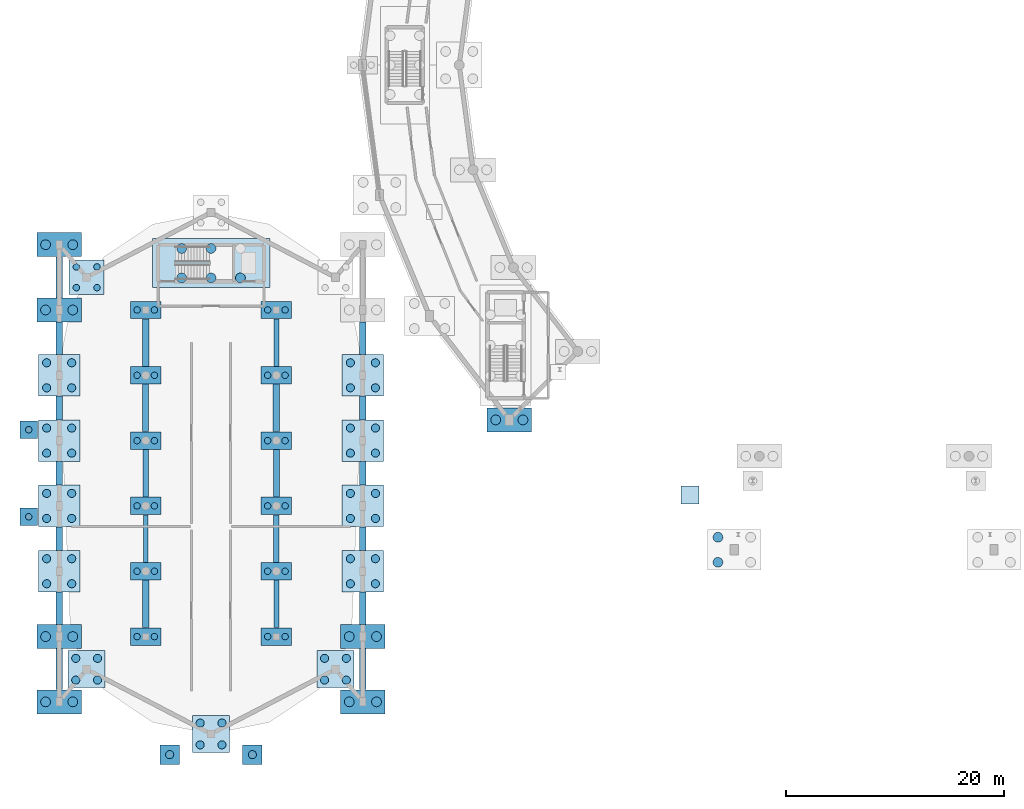
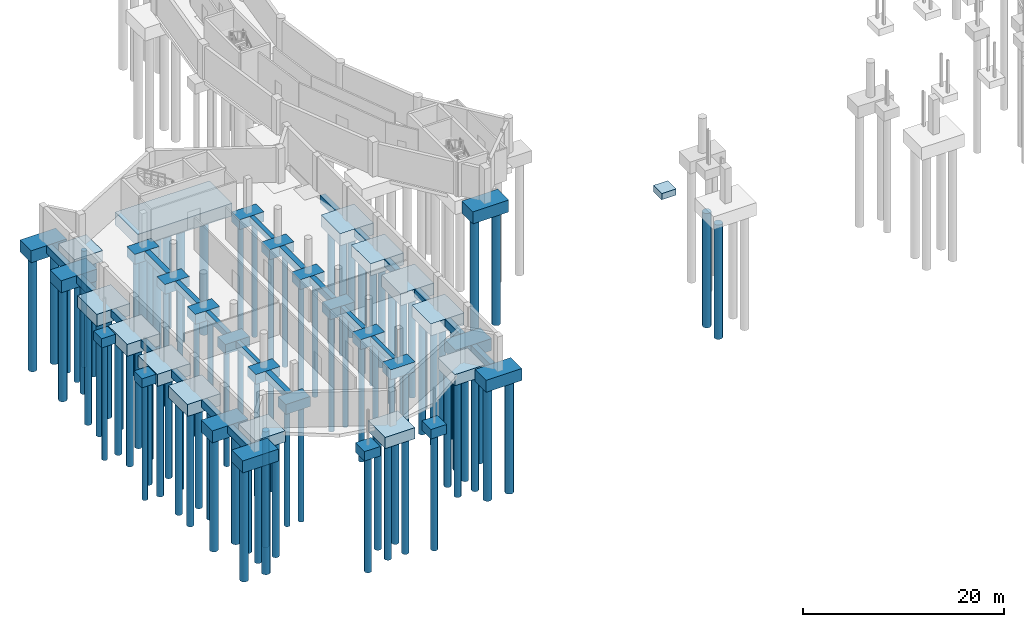
# One storey, part 1 of 43: 97 piles, 60 footings.
"""IFC4 building model written with IfcOpenShell, lengths in metres."""

import ifcopenshell
import ifcopenshell.guid

model = None  # the IFC model being written
_history = None  # IfcOwnerHistory: only IFC2X3 demands one
_inside = {}  # id of a spatial element -> (the spatial element, [elements in it])
_under = {}  # id of a project, library or spatial element -> (it, [spatial elements below it])
_declared = {}  # id of a project -> (the project, [libraries it declares])
_typed = {}  # id of a type object -> (the type object, [elements of that type])
_made_of = {}  # id of a material, layer set ... -> (it, [elements and type objects made of it])


def new_model(schema):
    """Start an empty IFC model of exactly this schema.

    Asked for "IFC4X3", IfcOpenShell would pick the latest addendum, in which some entities
    have other attributes; the version numbers below select the first issue.
    IFC2X3 requires an IfcOwnerHistory on every rooted entity: one is made here for all.
    """
    global model, _history
    if schema == "IFC4X3":
        model = ifcopenshell.file(schema_version=(4, 3, 0, 0))
    else:
        model = ifcopenshell.file(schema=schema)
    _inside.clear()
    _under.clear()
    _declared.clear()
    _typed.clear()
    _made_of.clear()
    _history = None
    if model.schema == "IFC2X3":
        org = make("IfcOrganization", Name="unknown")
        user = make(
            "IfcPersonAndOrganization",
            ThePerson=make("IfcPerson", FamilyName="unknown"),
            TheOrganization=org,
        )
        app = make(
            "IfcApplication",
            ApplicationDeveloper=org,
            Version="unknown",
            ApplicationFullName="unknown",
            ApplicationIdentifier="unknown",
        )
        _history = make(
            "IfcOwnerHistory",
            OwningUser=user,
            OwningApplication=app,
            ChangeAction="ADDED",
            CreationDate=0,
        )
    return model


def make(cls, **values):
    """One entity of the class cls with the attributes given. An attribute that is None is left unset."""
    return model.create_entity(
        cls, **{name: value for name, value in values.items() if value is not None}
    )


def rooted(cls, **values):
    """An entity with a GlobalId (a new one), such as an element, a storey or a relation."""
    return make(cls, GlobalId=ifcopenshell.guid.new(), OwnerHistory=_history, **values)


def si_unit(unit_type, name, prefix=None):
    """IfcSIUnit, for example si_unit("LENGTHUNIT", "METRE", prefix="MILLI")."""
    return make("IfcSIUnit", UnitType=unit_type, Prefix=prefix, Name=name)


def assignment(units):
    """IfcUnitAssignment: the units of a project."""
    return None if units is None else make("IfcUnitAssignment", Units=units)


def point(xyz):
    """IfcCartesianPoint."""
    return None if xyz is None else make("IfcCartesianPoint", Coordinates=xyz)


def direction(xyz):
    """IfcDirection."""
    return None if xyz is None else make("IfcDirection", DirectionRatios=xyz)


def frame(location, z_axis=None, x_axis=None):
    """IfcAxis2Placement3D, a coordinate frame: its origin and axes. An axis left out is left unset."""
    return make(
        "IfcAxis2Placement3D",
        Location=point(location),
        Axis=direction(z_axis),
        RefDirection=direction(x_axis),
    )


def frame_2d(location, x_axis=None):
    """IfcAxis2Placement2D, a coordinate frame in the plane: its origin and x axis."""
    return make(
        "IfcAxis2Placement2D", Location=point(location), RefDirection=direction(x_axis)
    )


def origin():
    """The frame at (0, 0, 0) with its axes left unset."""
    return frame((0.0, 0.0, 0.0))


def origin_2d():
    """The frame at (0, 0) in the plane with its x axis left unset."""
    return frame_2d((0.0, 0.0))


def place(relative_to, where):
    """IfcLocalPlacement: puts the frame where relative to a parent placement (None: the world)."""
    return make(
        "IfcLocalPlacement", PlacementRelTo=relative_to, RelativePlacement=where
    )


def context(
    kind, dimensions, precision=None, world=None, true_north=None, identifier=None
):
    """IfcGeometricRepresentationContext, for example the 3D "Model" context."""
    return make(
        "IfcGeometricRepresentationContext",
        ContextIdentifier=identifier,
        ContextType=kind,
        CoordinateSpaceDimension=dimensions,
        Precision=precision,
        WorldCoordinateSystem=world,
        TrueNorth=true_north,
    )


def subcontext(parent, identifier, kind, view, scale=None):
    """IfcGeometricRepresentationSubContext, for example "Body" below "Model"."""
    return make(
        "IfcGeometricRepresentationSubContext",
        ContextIdentifier=identifier,
        ContextType=kind,
        ParentContext=parent,
        TargetScale=scale,
        TargetView=view,
    )


def project(units=None, contexts=None):
    """IfcProject with its units and contexts."""
    return rooted(
        "IfcProject",
        Name="project",
        RepresentationContexts=contexts,
        UnitsInContext=assignment(units),
    )


def spatial(cls, under=None, at=None, **own):
    """A site, building, storey or space (cls), placed at a placement, below another one or the project."""
    s = rooted(cls, ObjectPlacement=at, **own)
    if under is not None:
        _under.setdefault(under.id(), (under, []))[1].append(s)
    return s


def profile(cls, at=None, kind="AREA", **sizes):
    """A parametric profile (cls). Its sizes go by their IFC names, for example OverallWidth=200.0."""
    return make(cls, ProfileType=kind, Position=at, **sizes)


def rectangle(**sizes):
    """IfcRectangleProfileDef."""
    return profile("IfcRectangleProfileDef", **sizes)


def circle(**sizes):
    """IfcCircleProfileDef."""
    return profile("IfcCircleProfileDef", **sizes)


def extrude(swept, where, along, depth):
    """IfcExtrudedAreaSolid: the profile swept, set in the frame where, extruded along a direction by depth."""
    return make(
        "IfcExtrudedAreaSolid",
        SweptArea=swept,
        Position=where,
        ExtrudedDirection=direction(along),
        Depth=depth,
    )


def shape(context_of_items, identifier, shape_type, items):
    """IfcShapeRepresentation: the items that make up one representation, for example the "Body"."""
    return make(
        "IfcShapeRepresentation",
        ContextOfItems=context_of_items,
        RepresentationIdentifier=identifier,
        RepresentationType=shape_type,
        Items=items,
    )


def material(Name=None, Category=None):
    """IfcMaterial."""
    return make("IfcMaterial", Name=Name, Category=Category)


def material_profile(
    of_material, cross_section, Name=None, Category=None, Priority=None
):
    """IfcMaterialProfile: a cross section and its material."""
    return make(
        "IfcMaterialProfile",
        Name=Name,
        Material=of_material,
        Profile=cross_section,
        Priority=Priority,
        Category=Category,
    )


def profile_set(profiles, Name=None, composite=None):
    """IfcMaterialProfileSet."""
    return make(
        "IfcMaterialProfileSet",
        Name=Name,
        MaterialProfiles=profiles,
        CompositeProfile=composite,
    )


def made_of(thing, what):
    """Note that an element or type object is made of a material, layer set ...; save() writes the relation."""
    if what is not None:
        _made_of.setdefault(what.id(), (what, []))[1].append(thing)
    return thing


def type_object(cls, material=None, **own):
    """A type object (cls), such as IfcWallType, which elements share."""
    return made_of(rooted(cls, **own), material)


def element(
    cls,
    number,
    at=None,
    inside=None,
    cuts=None,
    type_object=None,
    material=None,
    context=None,
    identifier="Body",
    shape_type=None,
    held_by="IfcProductDefinitionShape",
    body=None,
    shapes=None,
    **own,
):
    """One element of the class cls, such as IfcWall. Its Tag is "e" and its number.

    at: its placement. inside: the storey or other place that contains it. cuts: it is an
    opening in that element (IfcRelVoidsElement). A single representation is given by context,
    identifier, shape_type and body (its items); several are given by shapes. held_by: the class
    of the entity that holds the representations. save() writes the other relations.
    """
    e = rooted(cls, Tag="e%d" % number, ObjectPlacement=at, **own)
    if body is not None:
        shapes = [shape(context, identifier, shape_type, body)]
    if shapes is not None:
        e.Representation = make(held_by, Representations=shapes)
    if inside is not None:
        _inside.setdefault(inside.id(), (inside, []))[1].append(e)
    if cuts is not None:
        rooted(
            "IfcRelVoidsElement", RelatingBuildingElement=cuts, RelatedOpeningElement=e
        )
    if type_object is not None:
        _typed.setdefault(type_object.id(), (type_object, []))[1].append(e)
    return made_of(e, material)


def aggregate(whole, parts):
    """IfcRelAggregates: a whole, such as a stair, and the parts it consists of."""
    return rooted("IfcRelAggregates", RelatingObject=whole, RelatedObjects=parts)


def save(model, path):
    """Write the relations noted so far, then the file.

    IfcRelAggregates (storeys below a building ...), IfcRelContainedInSpatialStructure (elements
    in a storey), IfcRelDefinesByType, IfcRelAssociatesMaterial and IfcRelDeclares: one each for
    every whole, place, type object, material and project.
    """
    for whole, parts in _under.values():
        aggregate(whole, parts)
    for where, things in _inside.values():
        rooted(
            "IfcRelContainedInSpatialStructure",
            RelatedElements=things,
            RelatingStructure=where,
        )
    for kind, things in _typed.values():
        rooted("IfcRelDefinesByType", RelatedObjects=things, RelatingType=kind)
    for what, things in _made_of.values():
        rooted("IfcRelAssociatesMaterial", RelatedObjects=things, RelatingMaterial=what)
    for by, libraries in _declared.values():
        rooted("IfcRelDeclares", RelatingContext=by, RelatedDefinitions=libraries)
    model.write(path)


model = new_model("IFC4")

# Units and contexts
model_context = context("Model", 3, precision=1e-05, world=origin(), true_north=direction((0.0, 1.0)))
body_context = subcontext(model_context, "Body", "Model", "MODEL_VIEW")
ifc_project = project(units=[si_unit("LENGTHUNIT", "METRE"), si_unit("AREAUNIT", "SQUARE_METRE"), si_unit("VOLUMEUNIT", "CUBIC_METRE"), si_unit("PLANEANGLEUNIT", "RADIAN"), si_unit("MASSUNIT", "GRAM", prefix="KILO")], contexts=[model_context])

# Site, building, storey
site_placement = place(None, origin())
site = spatial("IfcSite", under=ifc_project, at=site_placement, CompositionType="ELEMENT")
building_placement = place(site_placement, origin())
building = spatial("IfcBuilding", under=site, at=building_placement, Name="Vespera Passage Community Centre", CompositionType="ELEMENT")
storey_placement = place(building_placement, frame((0.0, 0.0, -4.199951171875)))
storey = spatial("IfcBuildingStorey", under=building, at=storey_placement, Name="B1", CompositionType="ELEMENT", Elevation=-4.199951171875)

# Footings
ifc_material_1 = material(Name="Concrete f'c 35 MPa", Category="concrete")
footing_type_1 = type_object("IfcFootingType", Name="FB-01", PredefinedType="FOOTING_BEAM", material=ifc_material_1)
for number, where, z_axis, x_axis, name in (
    (1, (12.0, 28.0, -0.80029296875), (0.0, 0.0, 1.0), (0.0, 1.0, 0.0), "Void-Formed Grade Beam 5"),
    (2, (24.0, 22.0, -0.80029296875), (0.0, 0.0, 1.0), (0.0, 1.0, 0.0), "Void-Formed Grade Beam 9"),
):
    element("IfcFooting", number, at=place(storey_placement, frame(where, z_axis=z_axis, x_axis=x_axis)), inside=storey, type_object=footing_type_1, Name=name, PredefinedType="FOOTING_BEAM", context=body_context, shape_type="SweptSolid", body=[
        extrude(rectangle(XDim=4.3701171875, YDim=0.5, at=origin_2d()), origin(), (0.0, 0.0, 1.0), 0.800048828125),
    ])
ifc_material_2 = material(Name="Concrete f'c 35 MPa", Category="concrete")
footing_type_2 = type_object("IfcFootingType", Name="FB-02", PredefinedType="FOOTING_BEAM", material=ifc_material_2)
for number, where, z_axis, x_axis, name in (
    (3, (12.0, 34.0, -0.85009765625), (0.0, 0.0, 1.0), (0.0, 1.0, 0.0), "Void-Formed Grade Beam 6"),
    (4, (24.0, 28.0, -0.85009765625), (0.0, 0.0, 1.0), (0.0, 1.0, 0.0), "Void-Formed Grade Beam 10"),
):
    element("IfcFooting", number, at=place(storey_placement, frame(where, z_axis=z_axis, x_axis=x_axis)), inside=storey, type_object=footing_type_2, Name=name, PredefinedType="FOOTING_BEAM", context=body_context, shape_type="SweptSolid", body=[
        extrude(rectangle(XDim=4.3701171875, YDim=0.550048828125, at=origin_2d()), origin(), (0.0, 0.0, 1.0), 0.85009765625),
    ])
ifc_material_3 = material(Name="Concrete f'c 35 MPa", Category="concrete")
footing_type_3 = type_object("IfcFootingType", Name="FB-03", PredefinedType="FOOTING_BEAM", material=ifc_material_3)
footing_1_placement = place(storey_placement, frame((4.050048828125, 10.0, -0.89990234375), z_axis=(0.0, 0.0, 1.0), x_axis=(0.0, 1.0, 0.0)))
element("IfcFooting", 5, at=footing_1_placement, inside=storey, type_object=footing_type_3, Name="V1 W Wall Strip Footing 1", PredefinedType="FOOTING_BEAM", context=body_context, shape_type="SweptSolid", body=[
    extrude(rectangle(XDim=3.77001953125, YDim=0.60009765625, at=origin_2d()), origin(), (0.0, 0.0, 1.0), 0.89990234375),
])
footing_2_placement = place(storey_placement, frame((4.050048828125, 15.60009765625, -0.89990234375), z_axis=(0.0, 0.0, 1.0), x_axis=(0.0, 1.0, 0.0)))
element("IfcFooting", 6, at=footing_2_placement, inside=storey, type_object=footing_type_3, Name="V1 W Wall Strip Footing 2", PredefinedType="FOOTING_BEAM", context=body_context, shape_type="SweptSolid", body=[
    extrude(rectangle(XDim=2.969970703125, YDim=0.60009765625, at=origin_2d()), origin(), (0.0, 0.0, 1.0), 0.89990234375),
])
for number, where, z_axis, x_axis, name in (
    (7, (4.050048828125, 22.0, -0.89990234375), (0.0, 0.0, 1.0), (0.0, 1.0, 0.0), "V1 W Wall Strip Footing 3"),
    (8, (4.050048828125, 28.0, -0.89990234375), (0.0, 0.0, 1.0), (0.0, 1.0, 0.0), "V1 W Wall Strip Footing 4"),
    (9, (4.050048828125, 34.0, -0.89990234375), (0.0, 0.0, 1.0), (0.0, 1.0, 0.0), "V1 W Wall Strip Footing 5"),
):
    element("IfcFooting", number, at=place(storey_placement, frame(where, z_axis=z_axis, x_axis=x_axis)), inside=storey, type_object=footing_type_3, Name=name, PredefinedType="FOOTING_BEAM", context=body_context, shape_type="SweptSolid", body=[
        extrude(rectangle(XDim=2.169921875, YDim=0.60009765625, at=origin_2d()), origin(), (0.0, 0.0, 1.0), 0.89990234375),
    ])
footing_3_placement = place(storey_placement, frame((4.050048828125, 40.39990234375, -0.89990234375), z_axis=(0.0, 0.0, 1.0), x_axis=(0.0, 1.0, 0.0)))
element("IfcFooting", 10, at=footing_3_placement, inside=storey, type_object=footing_type_3, Name="V1 W Wall Strip Footing 6", PredefinedType="FOOTING_BEAM", context=body_context, shape_type="SweptSolid", body=[
    extrude(rectangle(XDim=2.969970703125, YDim=0.60009765625, at=origin_2d()), origin(), (0.0, 0.0, 1.0), 0.89990234375),
])
for number, where, z_axis, x_axis, name in (
    (11, (4.050048828125, 46.0, -0.89990234375), (0.0, 0.0, 1.0), (0.0, 1.0, 0.0), "V1 W Wall Strip Footing 7"),
    (12, (31.949951171875, 10.0, -0.89990234375), (0.0, 0.0, 1.0), (0.0, 1.0, 0.0), "V1 E Wall Strip Footing 1"),
):
    element("IfcFooting", number, at=place(storey_placement, frame(where, z_axis=z_axis, x_axis=x_axis)), inside=storey, type_object=footing_type_3, Name=name, PredefinedType="FOOTING_BEAM", context=body_context, shape_type="SweptSolid", body=[
        extrude(rectangle(XDim=3.77001953125, YDim=0.60009765625, at=origin_2d()), origin(), (0.0, 0.0, 1.0), 0.89990234375),
    ])
footing_4_placement = place(storey_placement, frame((31.949951171875, 15.60009765625, -0.89990234375), z_axis=(0.0, 0.0, 1.0), x_axis=(0.0, 1.0, 0.0)))
element("IfcFooting", 13, at=footing_4_placement, inside=storey, type_object=footing_type_3, Name="V1 E Wall Strip Footing 2", PredefinedType="FOOTING_BEAM", context=body_context, shape_type="SweptSolid", body=[
    extrude(rectangle(XDim=2.969970703125, YDim=0.60009765625, at=origin_2d()), origin(), (0.0, 0.0, 1.0), 0.89990234375),
])
for number, where, z_axis, x_axis, name in (
    (14, (31.949951171875, 22.0, -0.89990234375), (0.0, 0.0, 1.0), (0.0, 1.0, 0.0), "V1 E Wall Strip Footing 3"),
    (15, (31.949951171875, 28.0, -0.89990234375), (0.0, 0.0, 1.0), (0.0, 1.0, 0.0), "V1 E Wall Strip Footing 4"),
    (16, (31.949951171875, 34.0, -0.89990234375), (0.0, 0.0, 1.0), (0.0, 1.0, 0.0), "V1 E Wall Strip Footing 5"),
):
    element("IfcFooting", number, at=place(storey_placement, frame(where, z_axis=z_axis, x_axis=x_axis)), inside=storey, type_object=footing_type_3, Name=name, PredefinedType="FOOTING_BEAM", context=body_context, shape_type="SweptSolid", body=[
        extrude(rectangle(XDim=2.169921875, YDim=0.60009765625, at=origin_2d()), origin(), (0.0, 0.0, 1.0), 0.89990234375),
    ])
footing_5_placement = place(storey_placement, frame((31.949951171875, 40.39990234375, -0.89990234375), z_axis=(0.0, 0.0, 1.0), x_axis=(0.0, 1.0, 0.0)))
element("IfcFooting", 17, at=footing_5_placement, inside=storey, type_object=footing_type_3, Name="V1 E Wall Strip Footing 6", PredefinedType="FOOTING_BEAM", context=body_context, shape_type="SweptSolid", body=[
    extrude(rectangle(XDim=2.969970703125, YDim=0.60009765625, at=origin_2d()), origin(), (0.0, 0.0, 1.0), 0.89990234375),
])
for number, where, z_axis, x_axis, name in (
    (18, (12.0, 16.0, -0.89990234375), (0.0, 0.0, 1.0), (0.0, 1.0, 0.0), "Void-Formed Grade Beam 3"),
    (19, (12.0, 40.0, -0.89990234375), (0.0, 0.0, 1.0), (0.0, 1.0, 0.0), "Void-Formed Grade Beam 7"),
    (20, (24.0, 34.0, -0.89990234375), (0.0, 0.0, 1.0), (0.0, 1.0, 0.0), "Void-Formed Grade Beam 11"),
):
    element("IfcFooting", number, at=place(storey_placement, frame(where, z_axis=z_axis, x_axis=x_axis)), inside=storey, type_object=footing_type_3, Name=name, PredefinedType="FOOTING_BEAM", context=body_context, shape_type="SweptSolid", body=[
        extrude(rectangle(XDim=4.3701171875, YDim=0.60009765625, at=origin_2d()), origin(), (0.0, 0.0, 1.0), 0.89990234375),
    ])
ifc_material_4 = material(Name="Concrete f'c 35 MPa", Category="concrete")
footing_type_4 = type_object("IfcFootingType", Name="FB-04", PredefinedType="FOOTING_BEAM", material=ifc_material_4)
for number, where, z_axis, x_axis, name in (
    (21, (12.0, 22.0, -0.75), (0.0, 0.0, 1.0), (0.0, 1.0, 0.0), "Void-Formed Grade Beam 4"),
    (22, (24.0, 16.0, -0.75), (0.0, 0.0, 1.0), (0.0, 1.0, 0.0), "Void-Formed Grade Beam 8"),
    (23, (24.0, 40.0, -0.75), (0.0, 0.0, 1.0), (0.0, 1.0, 0.0), "Void-Formed Grade Beam 12"),
):
    element("IfcFooting", number, at=place(storey_placement, frame(where, z_axis=z_axis, x_axis=x_axis)), inside=storey, type_object=footing_type_4, Name=name, PredefinedType="FOOTING_BEAM", context=body_context, shape_type="SweptSolid", body=[
        extrude(rectangle(XDim=4.3701171875, YDim=0.449951171875, at=origin_2d()), origin(), (0.0, 0.0, 1.0), 0.75),
    ])

# Piles
ifc_material_5 = material(Name="Concrete f'c 45 MPa", Category="concrete")
ifc_material_profile_1 = material_profile(ifc_material_5, circle(Radius=0.300048828125, at=origin_2d()), Name="PILE600DIA")
ifc_profile_set_1 = profile_set([ifc_material_profile_1], Name="Concrete f'c 45 MPa")
pile_type_1 = type_object("IfcPileType", Name="P-600", PredefinedType="BORED", material=ifc_profile_set_1)
for number, where, z_axis, x_axis, name in (
    (24, (5.622802734375, 45.051513671875, -1.199951171875), (0.0, 0.0, -1.0), (1.0, 0.0, 0.0), "Column V1-AN3 Bored Pile 1"),
    (25, (7.522705078125, 45.051513671875, -1.199951171875), (0.0, 0.0, -1.0), (1.0, 0.0, 0.0), "Column V1-AN3 Bored Pile 2"),
    (26, (5.622802734375, 46.951416015625, -1.199951171875), (0.0, 0.0, -1.0), (1.0, 0.0, 0.0), "Column V1-AN3 Bored Pile 3"),
    (27, (7.522705078125, 46.951416015625, -1.199951171875), (0.0, 0.0, -1.0), (1.0, 0.0, 0.0), "Column V1-AN3 Bored Pile 4"),
):
    element("IfcPile", number, at=place(storey_placement, frame(where, z_axis=z_axis, x_axis=x_axis)), inside=storey, type_object=pile_type_1, Name=name, PredefinedType="BORED", context=body_context, shape_type="SweptSolid", body=[
        extrude(circle(Radius=0.300048828125, at=origin_2d()), origin(), (0.0, 0.0, 1.0), 14.10009765625),
    ])
for number, where, z_axis, x_axis, name in (
    (28, (11.199951171875, 13.0, -1.10009765625), (0.0, 0.0, -1.0), (1.0, 0.0, 0.0), "Column V1-B1-11 Bored Pile 1"),
    (29, (12.800048828125, 13.0, -1.10009765625), (0.0, 0.0, -1.0), (1.0, 0.0, 0.0), "Column V1-B1-11 Bored Pile 2"),
    (30, (11.199951171875, 19.0, -1.10009765625), (0.0, 0.0, -1.0), (1.0, 0.0, 0.0), "Column V1-B1-12 Bored Pile 1"),
    (31, (12.800048828125, 19.0, -1.10009765625), (0.0, 0.0, -1.0), (1.0, 0.0, 0.0), "Column V1-B1-12 Bored Pile 2"),
    (32, (11.199951171875, 25.0, -1.10009765625), (0.0, 0.0, -1.0), (1.0, 0.0, 0.0), "Column V1-B1-13 Bored Pile 1"),
    (33, (12.800048828125, 25.0, -1.10009765625), (0.0, 0.0, -1.0), (1.0, 0.0, 0.0), "Column V1-B1-13 Bored Pile 2"),
    (34, (11.199951171875, 31.0, -1.10009765625), (0.0, 0.0, -1.0), (1.0, 0.0, 0.0), "Column V1-B1-14 Bored Pile 1"),
    (35, (12.800048828125, 31.0, -1.10009765625), (0.0, 0.0, -1.0), (1.0, 0.0, 0.0), "Column V1-B1-14 Bored Pile 2"),
    (36, (11.199951171875, 37.0, -1.10009765625), (0.0, 0.0, -1.0), (1.0, 0.0, 0.0), "Column V1-B1-15 Bored Pile 1"),
    (37, (12.800048828125, 37.0, -1.10009765625), (0.0, 0.0, -1.0), (1.0, 0.0, 0.0), "Column V1-B1-15 Bored Pile 2"),
    (38, (11.199951171875, 43.0, -1.10009765625), (0.0, 0.0, -1.0), (1.0, 0.0, 0.0), "Column V1-B1-16 Bored Pile 1"),
    (39, (12.800048828125, 43.0, -1.10009765625), (0.0, 0.0, -1.0), (1.0, 0.0, 0.0), "Column V1-B1-16 Bored Pile 2"),
    (40, (23.199951171875, 13.0, -1.10009765625), (0.0, 0.0, -1.0), (1.0, 0.0, 0.0), "Column V1-B1-21 Bored Pile 1"),
    (41, (24.800048828125, 13.0, -1.10009765625), (0.0, 0.0, -1.0), (1.0, 0.0, 0.0), "Column V1-B1-21 Bored Pile 2"),
    (42, (23.199951171875, 19.0, -1.10009765625), (0.0, 0.0, -1.0), (1.0, 0.0, 0.0), "Column V1-B1-22 Bored Pile 1"),
    (43, (24.800048828125, 19.0, -1.10009765625), (0.0, 0.0, -1.0), (1.0, 0.0, 0.0), "Column V1-B1-22 Bored Pile 2"),
    (44, (23.199951171875, 25.0, -1.10009765625), (0.0, 0.0, -1.0), (1.0, 0.0, 0.0), "Column V1-B1-23 Bored Pile 1"),
    (45, (24.800048828125, 25.0, -1.10009765625), (0.0, 0.0, -1.0), (1.0, 0.0, 0.0), "Column V1-B1-23 Bored Pile 2"),
    (46, (23.199951171875, 31.0, -1.10009765625), (0.0, 0.0, -1.0), (1.0, 0.0, 0.0), "Column V1-B1-24 Bored Pile 1"),
    (47, (24.800048828125, 31.0, -1.10009765625), (0.0, 0.0, -1.0), (1.0, 0.0, 0.0), "Column V1-B1-24 Bored Pile 2"),
    (48, (23.199951171875, 37.0, -1.10009765625), (0.0, 0.0, -1.0), (1.0, 0.0, 0.0), "Column V1-B1-25 Bored Pile 1"),
    (49, (24.800048828125, 37.0, -1.10009765625), (0.0, 0.0, -1.0), (1.0, 0.0, 0.0), "Column V1-B1-25 Bored Pile 2"),
    (50, (23.199951171875, 43.0, -1.10009765625), (0.0, 0.0, -1.0), (1.0, 0.0, 0.0), "Column V1-B1-26 Bored Pile 1"),
    (51, (24.800048828125, 43.0, -1.10009765625), (0.0, 0.0, -1.0), (1.0, 0.0, 0.0), "Column V1-B1-26 Bored Pile 2"),
):
    element("IfcPile", number, at=place(storey_placement, frame(where, z_axis=z_axis, x_axis=x_axis)), inside=storey, type_object=pile_type_1, Name=name, PredefinedType="BORED", context=body_context, shape_type="SweptSolid", body=[
        extrude(circle(Radius=0.300048828125, at=origin_2d()), origin(), (0.0, 0.0, 1.0), 14.199951171875),
    ])
for number, where, z_axis, x_axis, name in (
    (52, (1.25, 24.0, -1.0), (0.0, 0.0, -1.0), (1.0, 0.0, 0.0), "Column EC1-C01 Bored Pile 1"),
    (53, (1.25, 32.0, -1.0), (0.0, 0.0, -1.0), (1.0, 0.0, 0.0), "Column EC1-C02 Bored Pile 1"),
):
    element("IfcPile", number, at=place(storey_placement, frame(where, z_axis=z_axis, x_axis=x_axis)), inside=storey, type_object=pile_type_1, Name=name, PredefinedType="BORED", context=body_context, shape_type="SweptSolid", body=[
        extrude(circle(Radius=0.300048828125, at=origin_2d()), origin(), (0.0, 0.0, 1.0), 14.300048828125),
    ])
ifc_material_6 = material(Name="Concrete f'c 45 MPa", Category="concrete")
ifc_material_profile_2 = material_profile(ifc_material_6, circle(Radius=0.375, at=origin_2d()), Name="PILE750DIA")
ifc_profile_set_2 = profile_set([ifc_material_profile_2], Name="Concrete f'c 45 MPa")
pile_type_2 = type_object("IfcPileType", Name="P-750", PredefinedType="BORED", material=ifc_profile_set_2)
for number, where, z_axis, x_axis, name in (
    (54, (5.57275390625, 8.99853515625, -1.25), (0.0, 0.0, -1.0), (1.0, 0.0, 0.0), "Column V1-AS1 Bored Pile 1"),
    (55, (7.57275390625, 8.99853515625, -1.25), (0.0, 0.0, -1.0), (1.0, 0.0, 0.0), "Column V1-AS1 Bored Pile 2"),
    (56, (5.57275390625, 10.99853515625, -1.25), (0.0, 0.0, -1.0), (1.0, 0.0, 0.0), "Column V1-AS1 Bored Pile 3"),
    (57, (7.57275390625, 10.99853515625, -1.25), (0.0, 0.0, -1.0), (1.0, 0.0, 0.0), "Column V1-AS1 Bored Pile 4"),
    (58, (17.0, 3.050048828125, -1.25), (0.0, 0.0, -1.0), (1.0, 0.0, 0.0), "Column V1-AS2 Bored Pile 1"),
    (59, (19.0, 3.050048828125, -1.25), (0.0, 0.0, -1.0), (1.0, 0.0, 0.0), "Column V1-AS2 Bored Pile 2"),
    (60, (17.0, 5.050048828125, -1.25), (0.0, 0.0, -1.0), (1.0, 0.0, 0.0), "Column V1-AS2 Bored Pile 3"),
    (61, (19.0, 5.050048828125, -1.25), (0.0, 0.0, -1.0), (1.0, 0.0, 0.0), "Column V1-AS2 Bored Pile 4"),
    (62, (28.42724609375, 8.99853515625, -1.25), (0.0, 0.0, -1.0), (1.0, 0.0, 0.0), "Column V1-AS3 Bored Pile 1"),
    (63, (30.42724609375, 8.99853515625, -1.25), (0.0, 0.0, -1.0), (1.0, 0.0, 0.0), "Column V1-AS3 Bored Pile 2"),
    (64, (28.42724609375, 10.99853515625, -1.25), (0.0, 0.0, -1.0), (1.0, 0.0, 0.0), "Column V1-AS3 Bored Pile 3"),
    (65, (30.42724609375, 10.99853515625, -1.25), (0.0, 0.0, -1.0), (1.0, 0.0, 0.0), "Column V1-AS3 Bored Pile 4"),
):
    element("IfcPile", number, at=place(storey_placement, frame(where, z_axis=z_axis, x_axis=x_axis)), inside=storey, type_object=pile_type_2, Name=name, PredefinedType="BORED", context=body_context, shape_type="SweptSolid", body=[
        extrude(circle(Radius=0.375, at=origin_2d()), origin(), (0.0, 0.0, 1.0), 14.050048828125),
    ])
for number, where, z_axis, x_axis, name in (
    (66, (30.800048828125, 17.85009765625, -1.35009765625), (0.0, 0.0, -1.0), (1.0, 0.0, 0.0), "Column V1-E3 Bored Pile 1"),
    (67, (33.10009765625, 17.85009765625, -1.35009765625), (0.0, 0.0, -1.0), (1.0, 0.0, 0.0), "Column V1-E3 Bored Pile 2"),
    (68, (30.800048828125, 20.14990234375, -1.35009765625), (0.0, 0.0, -1.0), (1.0, 0.0, 0.0), "Column V1-E3 Bored Pile 3"),
    (69, (33.10009765625, 20.14990234375, -1.35009765625), (0.0, 0.0, -1.0), (1.0, 0.0, 0.0), "Column V1-E3 Bored Pile 4"),
    (70, (30.800048828125, 23.85009765625, -1.35009765625), (0.0, 0.0, -1.0), (1.0, 0.0, 0.0), "Column V1-E4 Bored Pile 1"),
    (71, (33.10009765625, 23.85009765625, -1.35009765625), (0.0, 0.0, -1.0), (1.0, 0.0, 0.0), "Column V1-E4 Bored Pile 2"),
    (72, (30.800048828125, 26.14990234375, -1.35009765625), (0.0, 0.0, -1.0), (1.0, 0.0, 0.0), "Column V1-E4 Bored Pile 3"),
    (73, (33.10009765625, 26.14990234375, -1.35009765625), (0.0, 0.0, -1.0), (1.0, 0.0, 0.0), "Column V1-E4 Bored Pile 4"),
    (74, (30.800048828125, 29.85009765625, -1.35009765625), (0.0, 0.0, -1.0), (1.0, 0.0, 0.0), "Column V1-E5 Bored Pile 1"),
    (75, (33.10009765625, 29.85009765625, -1.35009765625), (0.0, 0.0, -1.0), (1.0, 0.0, 0.0), "Column V1-E5 Bored Pile 2"),
    (76, (30.800048828125, 32.14990234375, -1.35009765625), (0.0, 0.0, -1.0), (1.0, 0.0, 0.0), "Column V1-E5 Bored Pile 3"),
    (77, (33.10009765625, 32.14990234375, -1.35009765625), (0.0, 0.0, -1.0), (1.0, 0.0, 0.0), "Column V1-E5 Bored Pile 4"),
    (78, (30.800048828125, 35.85009765625, -1.35009765625), (0.0, 0.0, -1.0), (1.0, 0.0, 0.0), "Column V1-E6 Bored Pile 1"),
    (79, (33.10009765625, 35.85009765625, -1.35009765625), (0.0, 0.0, -1.0), (1.0, 0.0, 0.0), "Column V1-E6 Bored Pile 2"),
    (80, (30.800048828125, 38.14990234375, -1.35009765625), (0.0, 0.0, -1.0), (1.0, 0.0, 0.0), "Column V1-E6 Bored Pile 3"),
    (81, (33.10009765625, 38.14990234375, -1.35009765625), (0.0, 0.0, -1.0), (1.0, 0.0, 0.0), "Column V1-E6 Bored Pile 4"),
    (82, (2.89990234375, 17.85009765625, -1.35009765625), (0.0, 0.0, -1.0), (1.0, 0.0, 0.0), "Column V1-W3 Bored Pile 1"),
    (83, (5.199951171875, 17.85009765625, -1.35009765625), (0.0, 0.0, -1.0), (1.0, 0.0, 0.0), "Column V1-W3 Bored Pile 2"),
    (84, (2.89990234375, 20.14990234375, -1.35009765625), (0.0, 0.0, -1.0), (1.0, 0.0, 0.0), "Column V1-W3 Bored Pile 3"),
    (85, (5.199951171875, 20.14990234375, -1.35009765625), (0.0, 0.0, -1.0), (1.0, 0.0, 0.0), "Column V1-W3 Bored Pile 4"),
    (86, (2.89990234375, 23.85009765625, -1.35009765625), (0.0, 0.0, -1.0), (1.0, 0.0, 0.0), "Column V1-W4 Bored Pile 1"),
    (87, (5.199951171875, 23.85009765625, -1.35009765625), (0.0, 0.0, -1.0), (1.0, 0.0, 0.0), "Column V1-W4 Bored Pile 2"),
    (88, (2.89990234375, 26.14990234375, -1.35009765625), (0.0, 0.0, -1.0), (1.0, 0.0, 0.0), "Column V1-W4 Bored Pile 3"),
    (89, (5.199951171875, 26.14990234375, -1.35009765625), (0.0, 0.0, -1.0), (1.0, 0.0, 0.0), "Column V1-W4 Bored Pile 4"),
    (90, (2.89990234375, 29.85009765625, -1.35009765625), (0.0, 0.0, -1.0), (1.0, 0.0, 0.0), "Column V1-W5 Bored Pile 1"),
    (91, (5.199951171875, 29.85009765625, -1.35009765625), (0.0, 0.0, -1.0), (1.0, 0.0, 0.0), "Column V1-W5 Bored Pile 2"),
    (92, (2.89990234375, 32.14990234375, -1.35009765625), (0.0, 0.0, -1.0), (1.0, 0.0, 0.0), "Column V1-W5 Bored Pile 3"),
    (93, (5.199951171875, 32.14990234375, -1.35009765625), (0.0, 0.0, -1.0), (1.0, 0.0, 0.0), "Column V1-W5 Bored Pile 4"),
    (94, (2.89990234375, 35.85009765625, -1.35009765625), (0.0, 0.0, -1.0), (1.0, 0.0, 0.0), "Column V1-W6 Bored Pile 1"),
    (95, (5.199951171875, 35.85009765625, -1.35009765625), (0.0, 0.0, -1.0), (1.0, 0.0, 0.0), "Column V1-W6 Bored Pile 2"),
    (96, (2.89990234375, 38.14990234375, -1.35009765625), (0.0, 0.0, -1.0), (1.0, 0.0, 0.0), "Column V1-W6 Bored Pile 3"),
    (97, (5.199951171875, 38.14990234375, -1.35009765625), (0.0, 0.0, -1.0), (1.0, 0.0, 0.0), "Column V1-W6 Bored Pile 4"),
):
    element("IfcPile", number, at=place(storey_placement, frame(where, z_axis=z_axis, x_axis=x_axis)), inside=storey, type_object=pile_type_2, Name=name, PredefinedType="BORED", context=body_context, shape_type="SweptSolid", body=[
        extrude(circle(Radius=0.375, at=origin_2d()), origin(), (0.0, 0.0, 1.0), 13.949951171875),
    ])
for number, where, z_axis, x_axis, name in (
    (98, (14.199951171875, 2.14990234375, -1.050048828125), (0.0, 0.0, -1.0), (1.0, 0.0, 0.0), "Column EC2-C01 Bored Pile 1"),
    (99, (21.800048828125, 2.14990234375, -1.050048828125), (0.0, 0.0, -1.0), (1.0, 0.0, 0.0), "Column EC2-C02 Bored Pile 1"),
):
    element("IfcPile", number, at=place(storey_placement, frame(where, z_axis=z_axis, x_axis=x_axis)), inside=storey, type_object=pile_type_2, Name=name, PredefinedType="BORED", context=body_context, shape_type="SweptSolid", body=[
        extrude(circle(Radius=0.375, at=origin_2d()), origin(), (0.0, 0.0, 1.0), 14.25),
    ])
ifc_material_7 = material(Name="Concrete f'c 45 MPa", Category="concrete")
ifc_material_profile_3 = material_profile(ifc_material_7, circle(Radius=0.449951171875, at=origin_2d()), Name="PILE900DIA")
ifc_profile_set_3 = profile_set([ifc_material_profile_3], Name="Concrete f'c 45 MPa")
pile_type_3 = type_object("IfcPileType", Name="P-900", PredefinedType="BORED", material=ifc_profile_set_3)
for number, where, z_axis, x_axis, name in (
    (100, (15.300048828125, 45.949951171875, -1.449951171875), (0.0, 0.0, -1.0), (1.0, 0.0, 0.0), "Core C5 Bored Pile 1"),
    (101, (18.0, 45.949951171875, -1.449951171875), (0.0, 0.0, -1.0), (1.0, 0.0, 0.0), "Core C5 Bored Pile 2"),
    (102, (20.699951171875, 45.949951171875, -1.449951171875), (0.0, 0.0, -1.0), (1.0, 0.0, 0.0), "Core C5 Bored Pile 3"),
    (103, (15.300048828125, 48.64990234375, -1.449951171875), (0.0, 0.0, -1.0), (1.0, 0.0, 0.0), "Core C5 Bored Pile 4"),
    (104, (18.0, 48.64990234375, -1.449951171875), (0.0, 0.0, -1.0), (1.0, 0.0, 0.0), "Core C5 Bored Pile 5"),
):
    element("IfcPile", number, at=place(storey_placement, frame(where, z_axis=z_axis, x_axis=x_axis)), inside=storey, type_object=pile_type_3, Name=name, PredefinedType="BORED", context=body_context, shape_type="SweptSolid", body=[
        extrude(circle(Radius=0.449951171875, at=origin_2d()), origin(), (0.0, 0.0, 1.0), 13.85009765625),
    ])
for number, where, z_axis, x_axis, name in (
    (105, (30.699951171875, 7.0, -1.35009765625), (0.0, 0.0, -1.0), (1.0, 0.0, 0.0), "Column V1-E1 Bored Pile 1"),
    (106, (33.199951171875, 7.0, -1.35009765625), (0.0, 0.0, -1.0), (1.0, 0.0, 0.0), "Column V1-E1 Bored Pile 2"),
    (107, (30.699951171875, 13.0, -1.35009765625), (0.0, 0.0, -1.0), (1.0, 0.0, 0.0), "Column V1-E2 Bored Pile 1"),
    (108, (33.199951171875, 13.0, -1.35009765625), (0.0, 0.0, -1.0), (1.0, 0.0, 0.0), "Column V1-E2 Bored Pile 2"),
    (109, (2.800048828125, 7.0, -1.35009765625), (0.0, 0.0, -1.0), (1.0, 0.0, 0.0), "Column V1-W1 Bored Pile 1"),
    (110, (5.300048828125, 7.0, -1.35009765625), (0.0, 0.0, -1.0), (1.0, 0.0, 0.0), "Column V1-W1 Bored Pile 2"),
    (111, (2.800048828125, 13.0, -1.35009765625), (0.0, 0.0, -1.0), (1.0, 0.0, 0.0), "Column V1-W2 Bored Pile 1"),
    (112, (5.300048828125, 13.0, -1.35009765625), (0.0, 0.0, -1.0), (1.0, 0.0, 0.0), "Column V1-W2 Bored Pile 2"),
    (113, (2.800048828125, 43.0, -1.35009765625), (0.0, 0.0, -1.0), (1.0, 0.0, 0.0), "Column V1-W7 Bored Pile 1"),
    (114, (5.300048828125, 43.0, -1.35009765625), (0.0, 0.0, -1.0), (1.0, 0.0, 0.0), "Column V1-W7 Bored Pile 2"),
    (115, (2.800048828125, 49.0, -1.35009765625), (0.0, 0.0, -1.0), (1.0, 0.0, 0.0), "Column V1-W8 Bored Pile 1"),
    (116, (5.300048828125, 49.0, -1.35009765625), (0.0, 0.0, -1.0), (1.0, 0.0, 0.0), "Column V1-W8 Bored Pile 2"),
    (117, (44.15234375, 32.90234375, -1.35009765625), (0.0, 0.0, -1.0), (1.0, 0.0, 0.0), "Column V4-O15 Bored Pile 1"),
    (118, (46.65234375, 32.90234375, -1.35009765625), (0.0, 0.0, -1.0), (1.0, 0.0, 0.0), "Column V4-O15 Bored Pile 2"),
):
    element("IfcPile", number, at=place(storey_placement, frame(where, z_axis=z_axis, x_axis=x_axis)), inside=storey, type_object=pile_type_3, Name=name, PredefinedType="BORED", context=body_context, shape_type="SweptSolid", body=[
        extrude(circle(Radius=0.449951171875, at=origin_2d()), origin(), (0.0, 0.0, 1.0), 13.949951171875),
    ])
for number, where, z_axis, x_axis, name in (
    (119, (64.568359375, 19.82080078125, -1.449951171875), (0.0, 0.0, -1.0), (1.0, 0.0, 0.0), "Column V4-O17 Bored Pile 1"),
    (120, (64.568359375, 22.120849609375, -1.449951171875), (0.0, 0.0, -1.0), (1.0, 0.0, 0.0), "Column V4-O17 Bored Pile 3"),
):
    element("IfcPile", number, at=place(storey_placement, frame(where, z_axis=z_axis, x_axis=x_axis)), inside=storey, type_object=pile_type_3, Name=name, PredefinedType="BORED", context=body_context, shape_type="SweptSolid", body=[
        extrude(circle(Radius=0.449951171875, at=origin_2d()), origin(), (0.0, 0.0, 1.0), 13.85009765625),
    ])

# Footings
ifc_material_8 = material(Name="Concrete f'c 35 MPa", Category="concrete")
footing_type_5 = type_object("IfcFootingType", Name="PC-01", PredefinedType="PILE_CAP", material=ifc_material_8)
for number, where, z_axis, x_axis, name in (
    (121, (1.25, 24.0, -1.10009765625), (0.0, 0.0, 1.0), (1.0, 0.0, 0.0), "Column EC1-C01 Pile Cap"),
    (122, (1.25, 32.0, -1.10009765625), (0.0, 0.0, 1.0), (1.0, 0.0, 0.0), "Column EC1-C02 Pile Cap"),
):
    element("IfcFooting", number, at=place(storey_placement, frame(where, z_axis=z_axis, x_axis=x_axis)), inside=storey, type_object=footing_type_5, Name=name, PredefinedType="PILE_CAP", context=body_context, shape_type="SweptSolid", body=[
        extrude(rectangle(XDim=1.60009765625, YDim=1.60009765625, at=origin_2d()), origin(), (0.0, 0.0, 1.0), 1.10009765625),
    ])
ifc_material_9 = material(Name="Concrete f'c 35 MPa", Category="concrete")
footing_type_6 = type_object("IfcFootingType", Name="PC-02", PredefinedType="PILE_CAP", material=ifc_material_9)
for number, where, z_axis, x_axis, name in (
    (123, (14.199951171875, 2.14990234375, -1.14990234375), (0.0, 0.0, 1.0), (1.0, 0.0, 0.0), "Column EC2-C01 Pile Cap"),
    (124, (21.800048828125, 2.14990234375, -1.14990234375), (0.0, 0.0, 1.0), (1.0, 0.0, 0.0), "Column EC2-C02 Pile Cap"),
):
    element("IfcFooting", number, at=place(storey_placement, frame(where, z_axis=z_axis, x_axis=x_axis)), inside=storey, type_object=footing_type_6, Name=name, PredefinedType="PILE_CAP", context=body_context, shape_type="SweptSolid", body=[
        extrude(rectangle(XDim=1.800048828125, YDim=1.800048828125, at=origin_2d()), origin(), (0.0, 0.0, 1.0), 1.14990234375),
    ])
ifc_material_10 = material(Name="Concrete f'c 35 MPa", Category="concrete")
footing_type_7 = type_object("IfcFootingType", Name="PC-04", PredefinedType="PILE_CAP", material=ifc_material_10)
for number, where, z_axis, x_axis, name in (
    (125, (12.0, 13.0, -1.2001953125), (0.0, 0.0, 1.0), (1.0, 0.0, 0.0), "Column V1-B1-11 Pile Cap"),
    (126, (12.0, 19.0, -1.2001953125), (0.0, 0.0, 1.0), (1.0, 0.0, 0.0), "Column V1-B1-12 Pile Cap"),
    (127, (12.0, 25.0, -1.2001953125), (0.0, 0.0, 1.0), (1.0, 0.0, 0.0), "Column V1-B1-13 Pile Cap"),
    (128, (12.0, 31.0, -1.2001953125), (0.0, 0.0, 1.0), (1.0, 0.0, 0.0), "Column V1-B1-14 Pile Cap"),
    (129, (12.0, 37.0, -1.2001953125), (0.0, 0.0, 1.0), (1.0, 0.0, 0.0), "Column V1-B1-15 Pile Cap"),
    (130, (12.0, 43.0, -1.2001953125), (0.0, 0.0, 1.0), (1.0, 0.0, 0.0), "Column V1-B1-16 Pile Cap"),
    (131, (24.0, 13.0, -1.2001953125), (0.0, 0.0, 1.0), (1.0, 0.0, 0.0), "Column V1-B1-21 Pile Cap"),
    (132, (24.0, 19.0, -1.2001953125), (0.0, 0.0, 1.0), (1.0, 0.0, 0.0), "Column V1-B1-22 Pile Cap"),
    (133, (24.0, 25.0, -1.2001953125), (0.0, 0.0, 1.0), (1.0, 0.0, 0.0), "Column V1-B1-23 Pile Cap"),
    (134, (24.0, 31.0, -1.2001953125), (0.0, 0.0, 1.0), (1.0, 0.0, 0.0), "Column V1-B1-24 Pile Cap"),
    (135, (24.0, 37.0, -1.2001953125), (0.0, 0.0, 1.0), (1.0, 0.0, 0.0), "Column V1-B1-25 Pile Cap"),
    (136, (24.0, 43.0, -1.2001953125), (0.0, 0.0, 1.0), (1.0, 0.0, 0.0), "Column V1-B1-26 Pile Cap"),
):
    element("IfcFooting", number, at=place(storey_placement, frame(where, z_axis=z_axis, x_axis=x_axis)), inside=storey, type_object=footing_type_7, Name=name, PredefinedType="PILE_CAP", context=body_context, shape_type="SweptSolid", body=[
        extrude(rectangle(XDim=2.800048828125, YDim=1.60009765625, at=origin_2d()), origin(), (0.0, 0.0, 1.0), 1.199951171875),
    ])
ifc_material_11 = material(Name="Concrete f'c 35 MPa", Category="concrete")
footing_type_8 = type_object("IfcFootingType", Name="PC-10", PredefinedType="PILE_CAP", material=ifc_material_11)
for number, where, z_axis, x_axis, name in (
    (137, (31.949951171875, 7.0, -1.4501953125), (0.0, 0.0, 1.0), (1.0, 0.0, 0.0), "Column V1-E1 Pile Cap"),
    (138, (31.949951171875, 13.0, -1.4501953125), (0.0, 0.0, 1.0), (1.0, 0.0, 0.0), "Column V1-E2 Pile Cap"),
    (139, (4.050048828125, 7.0, -1.4501953125), (0.0, 0.0, 1.0), (1.0, 0.0, 0.0), "Column V1-W1 Pile Cap"),
    (140, (4.050048828125, 13.0, -1.4501953125), (0.0, 0.0, 1.0), (1.0, 0.0, 0.0), "Column V1-W2 Pile Cap"),
    (141, (4.050048828125, 43.0, -1.4501953125), (0.0, 0.0, 1.0), (1.0, 0.0, 0.0), "Column V1-W7 Pile Cap"),
    (142, (4.050048828125, 49.0, -1.4501953125), (0.0, 0.0, 1.0), (1.0, 0.0, 0.0), "Column V1-W8 Pile Cap"),
    (143, (45.40234375, 32.90234375, -1.4501953125), (0.0, 0.0, 1.0), (1.0, 0.0, 0.0), "Column V4-O15 Pile Cap"),
):
    element("IfcFooting", number, at=place(storey_placement, frame(where, z_axis=z_axis, x_axis=x_axis)), inside=storey, type_object=footing_type_8, Name=name, PredefinedType="PILE_CAP", context=body_context, shape_type="SweptSolid", body=[
        extrude(rectangle(XDim=4.10009765625, YDim=2.199951171875, at=origin_2d()), origin(), (0.0, 0.0, 1.0), 1.449951171875),
    ])
ifc_material_12 = material(Name="Concrete f'c 35 MPa", Category="concrete")
footing_type_9 = type_object("IfcFootingType", Name="PC-11", PredefinedType="PILE_CAP", material=ifc_material_12)
footing_6_placement = place(storey_placement, frame((6.57275390625, 46.00146484375, -1.30029296875), z_axis=(0.0, 0.0, 1.0), x_axis=(1.0, 0.0, 0.0)))
element("IfcFooting", 144, at=footing_6_placement, inside=storey, type_object=footing_type_9, Name="Column V1-AN3 Pile Cap", PredefinedType="PILE_CAP", context=body_context, shape_type="SweptSolid", body=[
    extrude(rectangle(XDim=3.199951171875, YDim=3.199951171875, at=origin_2d()), origin(), (0.0, 0.0, 1.0), 1.300048828125),
])
ifc_material_13 = material(Name="Concrete f'c 35 MPa", Category="concrete")
footing_type_10 = type_object("IfcFootingType", Name="PC-12", PredefinedType="PILE_CAP", material=ifc_material_13)
for number, where, z_axis, x_axis, name in (
    (145, (6.57275390625, 9.99853515625, -1.35009765625), (0.0, 0.0, 1.0), (1.0, 0.0, 0.0), "Column V1-AS1 Pile Cap"),
    (146, (18.0, 4.050048828125, -1.35009765625), (0.0, 0.0, 1.0), (1.0, 0.0, 0.0), "Column V1-AS2 Pile Cap"),
    (147, (29.42724609375, 9.99853515625, -1.35009765625), (0.0, 0.0, 1.0), (1.0, 0.0, 0.0), "Column V1-AS3 Pile Cap"),
):
    element("IfcFooting", number, at=place(storey_placement, frame(where, z_axis=z_axis, x_axis=x_axis)), inside=storey, type_object=footing_type_10, Name=name, PredefinedType="PILE_CAP", context=body_context, shape_type="SweptSolid", body=[
        extrude(rectangle(XDim=3.39990234375, YDim=3.39990234375, at=origin_2d()), origin(), (0.0, 0.0, 1.0), 1.35009765625),
    ])
ifc_material_14 = material(Name="Concrete f'c 35 MPa", Category="concrete")
footing_type_11 = type_object("IfcFootingType", Name="PC-14", PredefinedType="PILE_CAP", material=ifc_material_14)
for number, where, z_axis, x_axis, name in (
    (148, (31.949951171875, 19.0, -1.4501953125), (0.0, 0.0, 1.0), (1.0, 0.0, 0.0), "Column V1-E3 Pile Cap"),
    (149, (31.949951171875, 25.0, -1.4501953125), (0.0, 0.0, 1.0), (1.0, 0.0, 0.0), "Column V1-E4 Pile Cap"),
    (150, (31.949951171875, 31.0, -1.4501953125), (0.0, 0.0, 1.0), (1.0, 0.0, 0.0), "Column V1-E5 Pile Cap"),
    (151, (31.949951171875, 37.0, -1.4501953125), (0.0, 0.0, 1.0), (1.0, 0.0, 0.0), "Column V1-E6 Pile Cap"),
    (152, (4.050048828125, 19.0, -1.4501953125), (0.0, 0.0, 1.0), (1.0, 0.0, 0.0), "Column V1-W3 Pile Cap"),
    (153, (4.050048828125, 25.0, -1.4501953125), (0.0, 0.0, 1.0), (1.0, 0.0, 0.0), "Column V1-W4 Pile Cap"),
    (154, (4.050048828125, 31.0, -1.4501953125), (0.0, 0.0, 1.0), (1.0, 0.0, 0.0), "Column V1-W5 Pile Cap"),
    (155, (4.050048828125, 37.0, -1.4501953125), (0.0, 0.0, 1.0), (1.0, 0.0, 0.0), "Column V1-W6 Pile Cap"),
):
    element("IfcFooting", number, at=place(storey_placement, frame(where, z_axis=z_axis, x_axis=x_axis)), inside=storey, type_object=footing_type_11, Name=name, PredefinedType="PILE_CAP", context=body_context, shape_type="SweptSolid", body=[
        extrude(rectangle(XDim=3.800048828125, YDim=3.800048828125, at=origin_2d()), origin(), (0.0, 0.0, 1.0), 1.449951171875),
    ])
ifc_material_15 = material(Name="Concrete f'c 35 MPa", Category="concrete")
footing_type_12 = type_object("IfcFootingType", Name="PC-22", PredefinedType="PILE_CAP", material=ifc_material_15)
footing_7_placement = place(storey_placement, frame((18.0, 47.300048828125, -1.55029296875), z_axis=(0.0, 0.0, 1.0), x_axis=(1.0, 0.0, 0.0)))
element("IfcFooting", 156, at=footing_7_placement, inside=storey, type_object=footing_type_12, Name="Core C5 Pile Cap", PredefinedType="PILE_CAP", context=body_context, shape_type="SweptSolid", body=[
    extrude(rectangle(XDim=10.800048828125, YDim=4.5, at=origin_2d()), origin(), (0.0, 0.0, 1.0), 1.550048828125),
])
ifc_material_16 = material(Name="Concrete f'c 35 MPa", Category="concrete")
footing_type_13 = type_object("IfcFootingType", Name="PF-02", PredefinedType="PAD_FOOTING", material=ifc_material_16)
footing_8_placement = place(storey_placement, frame((62.0, 26.0, -0.75), z_axis=(0.0, 0.0, 1.0), x_axis=(1.0, 0.0, 0.0)))
element("IfcFooting", 157, at=footing_8_placement, inside=storey, type_object=footing_type_13, Name="B1 Equipment Pad Footing 5", PredefinedType="PAD_FOOTING", context=body_context, shape_type="SweptSolid", body=[
    extrude(rectangle(XDim=1.64990234375, YDim=1.64990234375, at=origin_2d()), origin(), (0.0, 0.0, 1.0), 0.75),
])

save(model, "model.ifc")
